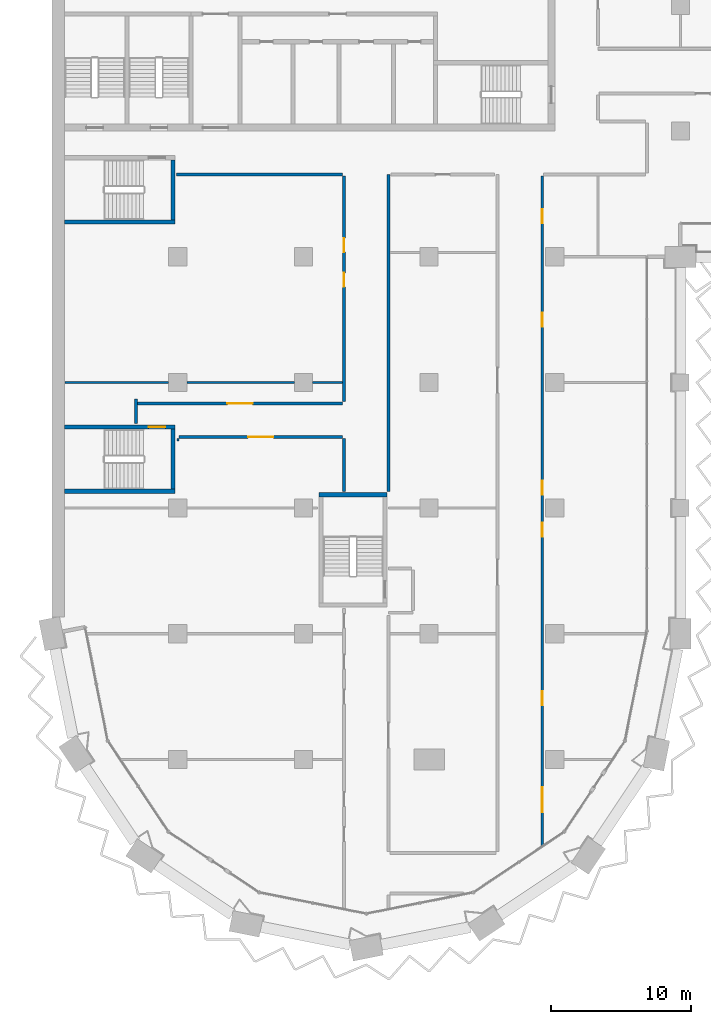
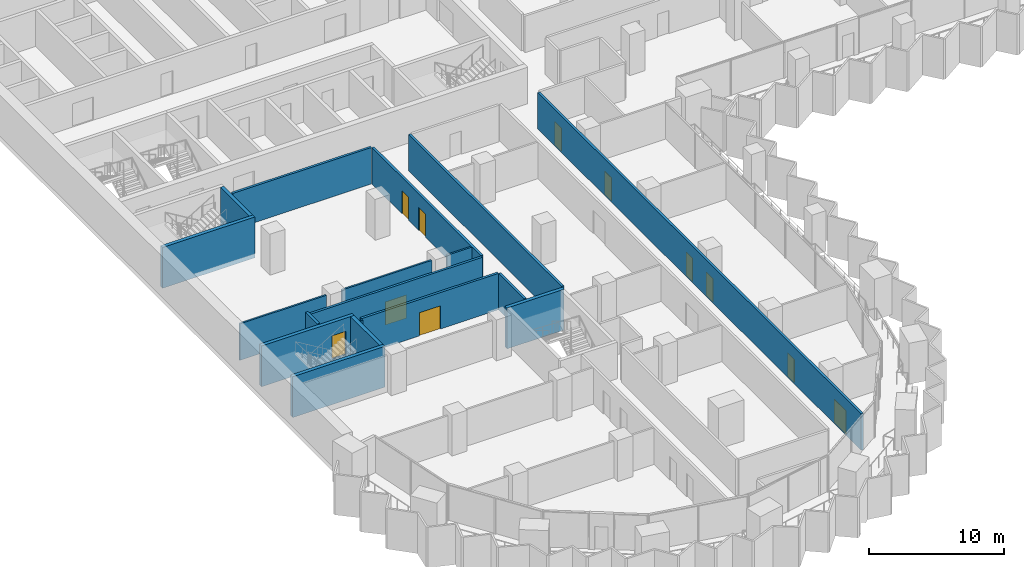
# One storey, part 10 of 23: 18 walls, 11 doors, 11 openings.
"""IFC4 building model written with IfcOpenShell, lengths in metres."""

from ifc_helpers import new_model, si_unit, direction, frame, frame_2d, origin, place, context, subcontext, project, spatial, rectangle, extrude, material, layer, layer_set, type_object, element, fill, save


model = new_model("IFC4")

# Units and contexts
model_context = context("Model", 3, precision=1e-05, world=origin(), true_north=direction((0.0, 1.0)))
body_context = subcontext(model_context, "Body", "Model", "MODEL_VIEW")
ifc_project = project(units=[si_unit("LENGTHUNIT", "METRE"), si_unit("AREAUNIT", "SQUARE_METRE"), si_unit("VOLUMEUNIT", "CUBIC_METRE"), si_unit("PLANEANGLEUNIT", "RADIAN"), si_unit("MASSUNIT", "GRAM", prefix="KILO")], contexts=[model_context])

# Site, building, storey
site_placement = place(None, origin())
site = spatial("IfcSite", under=ifc_project, at=site_placement, CompositionType="ELEMENT")
building_placement = place(site_placement, origin())
building = spatial("IfcBuilding", under=site, at=building_placement, Name="Hunhe Ridgeline Campus", CompositionType="ELEMENT")
storey_placement = place(building_placement, frame((0.0, 0.0, 103.300048828125)))
storey = spatial("IfcBuildingStorey", under=building, at=storey_placement, Name="L25", CompositionType="ELEMENT", Elevation=103.300048828125)

# Wall, opening, door
ifc_material_1 = material(Name="Gypsum board partition")
ifc_layer_1 = layer(ifc_material_1, 0.199951171875)
ifc_layer_set_1 = layer_set([ifc_layer_1], Name="Corridor partition 200 gypsum board on steel studs")
wall_type_1 = type_object("IfcWallType", Name="Corridor partition 200 gypsum board on steel studs", PredefinedType="PARTITIONING", material=ifc_layer_set_1)
wall_1_placement = place(storey_placement, frame((20.800048828125, 41.10009765625, 0.0), z_axis=(0.0, 0.0, 1.0), x_axis=(-1.0, 0.0, 0.0)))
wall_1 = element("IfcWall", 1, at=wall_1_placement, inside=storey, type_object=wall_type_1, Name="F-L25-wall-020", PredefinedType="PARTITIONING", context=body_context, shape_type="SweptSolid", body=[
    extrude(rectangle(XDim=11.72509765625, YDim=0.199951171875, at=frame_2d((5.862548828125, 0.0))), origin(), (0.0, 0.0, 1.0), 3.300048828125),
])
opening_1_placement = place(wall_1_placement, frame((4.96240234375, 0.0, 0.0)))
opening_1 = element("IfcOpeningElement", 2, at=opening_1_placement, cuts=wall_1, Name="Opening RD2-012", PredefinedType="OPENING", context=body_context, shape_type="SweptSolid", body=[
    extrude(rectangle(XDim=1.800048828125, YDim=2.10009765625, at=frame_2d((0.89990234375, 1.050048828125))), frame((0.0, 0.10009765625, 0.0), z_axis=(0.0, -1.0, 0.0), x_axis=(1.0, 0.0, 0.0)), (0.0, 0.0, 1.0), 0.199951171875),
])
ifc_material_2 = material(Name="Timber door leaf", Category="wood")
door_type_1 = type_object("IfcDoorType", Name="Double fire door 1800x2100 timber FD60", OperationType="DOUBLE_DOOR_SINGLE_SWING", PredefinedType="DOOR", material=ifc_material_2)
door_1_placement = place(opening_1_placement, origin())
door_1 = element("IfcDoor", 3, at=door_1_placement, inside=storey, type_object=door_type_1, Name="F-L25-door-012", OperationType="DOUBLE_DOOR_SINGLE_SWING", OverallHeight=2.10009765625, OverallWidth=1.800048828125, PredefinedType="DOOR", context=body_context, shape_type="SweptSolid", body=[
    extrude(rectangle(XDim=1.800048828125, YDim=2.10009765625, at=frame_2d((0.89990234375, 1.050048828125))), frame((0.0, 0.02490234375, 0.0), z_axis=(0.0, -1.0, 0.0), x_axis=(1.0, 0.0, 0.0)), (0.0, 0.0, 1.0), 0.050048828125),
])
fill(opening_1, door_1)

wall_2_placement = place(storey_placement, frame((6.10009765625, 43.5, 0.0), z_axis=(0.0, 0.0, 1.0), x_axis=(1.0, 0.0, 0.0)))
wall_2 = element("IfcWall", 4, at=wall_2_placement, inside=storey, type_object=wall_type_1, Name="F-L25-wall-021", PredefinedType="PARTITIONING", context=body_context, shape_type="SweptSolid", body=[
    extrude(rectangle(XDim=14.699951171875, YDim=0.199951171875, at=frame_2d((7.35009765625, 0.0))), origin(), (0.0, 0.0, 1.0), 3.300048828125),
])
opening_2_placement = place(wall_2_placement, frame((6.449951171875, 0.0, 0.0)))
opening_2 = element("IfcOpeningElement", 5, at=opening_2_placement, cuts=wall_2, Name="Opening RD2-013", PredefinedType="OPENING", context=body_context, shape_type="SweptSolid", body=[
    extrude(rectangle(XDim=1.800048828125, YDim=2.10009765625, at=frame_2d((0.89990234375, 1.050048828125))), frame((0.0, 0.10009765625, 0.0), z_axis=(0.0, -1.0, 0.0), x_axis=(1.0, 0.0, 0.0)), (0.0, 0.0, 1.0), 0.199951171875),
])
door_2_placement = place(opening_2_placement, origin())
door_2 = element("IfcDoor", 6, at=door_2_placement, inside=storey, type_object=door_type_1, Name="F-L25-door-013", OperationType="DOUBLE_DOOR_SINGLE_SWING", OverallHeight=2.10009765625, OverallWidth=1.800048828125, PredefinedType="DOOR", context=body_context, shape_type="SweptSolid", body=[
    extrude(rectangle(XDim=1.800048828125, YDim=2.10009765625, at=frame_2d((0.89990234375, 1.050048828125))), frame((0.0, 0.02490234375, 0.0), z_axis=(0.0, -1.0, 0.0), x_axis=(1.0, 0.0, 0.0)), (0.0, 0.0, 1.0), 0.050048828125),
])
fill(opening_2, door_2)

# Walls
wall_3_placement = place(storey_placement, frame((20.796630859375, 59.89990234375, 0.0), z_axis=(0.0, 0.0, 1.0), x_axis=(-1.0, 0.0, 0.0)))
element("IfcWall", 7, at=wall_3_placement, inside=storey, type_object=wall_type_1, Name="F-L25-wall-029", PredefinedType="PARTITIONING", context=body_context, shape_type="SweptSolid", body=[
    extrude(rectangle(XDim=11.892578125, YDim=0.199951171875, at=frame_2d((5.9462890625, 0.0))), origin(), (0.0, 0.0, 1.0), 3.300048828125),
])
wall_4_placement = place(storey_placement, frame((6.0, 42.053955078125, 0.0), z_axis=(0.0, 0.0, 1.0), x_axis=(0.0, 1.0, 0.0)))
element("IfcWall", 8, at=wall_4_placement, inside=storey, type_object=wall_type_1, Name="F-L25-wall-040", PredefinedType="PARTITIONING", context=body_context, shape_type="SweptSolid", body=[
    extrude(rectangle(XDim=1.74609375, YDim=0.199951171875, at=frame_2d((0.873046875, 0.0))), origin(), (0.0, 0.0, 1.0), 3.300048828125),
])
wall_5_placement = place(storey_placement, frame((20.89990234375, 37.2041015625, 0.0), z_axis=(0.0, 0.0, 1.0), x_axis=(0.0, 1.0, 0.0)))
element("IfcWall", 9, at=wall_5_placement, inside=storey, type_object=wall_type_1, Name="F-L25-wall-043", PredefinedType="PARTITIONING", context=body_context, shape_type="SweptSolid", body=[
    extrude(rectangle(XDim=3.7958984375, YDim=0.199951171875, at=frame_2d((1.89794921875, 0.0))), origin(), (0.0, 0.0, 1.0), 3.300048828125),
])

# Wall, openings, doors
wall_6_placement = place(storey_placement, frame((20.89990234375, 43.6181640625, 0.0), z_axis=(0.0, 0.0, 1.0), x_axis=(0.0, 1.0, 0.0)))
wall_6 = element("IfcWall", 10, at=wall_6_placement, inside=storey, type_object=wall_type_1, Name="F-L25-wall-044", PredefinedType="PARTITIONING", context=body_context, shape_type="SweptSolid", body=[
    extrude(rectangle(XDim=16.181884765625, YDim=0.199951171875, at=frame_2d((8.0908203125, 0.0))), origin(), (0.0, 0.0, 1.0), 3.300048828125),
])
opening_3_placement = place(wall_6_placement, frame((8.22314453125, 0.0, 0.0)))
opening_3 = element("IfcOpeningElement", 11, at=opening_3_placement, cuts=wall_6, Name="Opening RD1-016", PredefinedType="OPENING", context=body_context, shape_type="SweptSolid", body=[
    extrude(rectangle(XDim=1.0, YDim=2.10009765625, at=frame_2d((0.5, 1.050048828125))), frame((0.0, 0.10009765625, 0.0), z_axis=(0.0, -1.0, 0.0), x_axis=(1.0, 0.0, 0.0)), (0.0, 0.0, 1.0), 0.199951171875),
])
opening_4_placement = place(wall_6_placement, frame((10.72314453125, 0.0, 0.0)))
opening_4 = element("IfcOpeningElement", 12, at=opening_4_placement, cuts=wall_6, Name="Opening RD1-017", PredefinedType="OPENING", context=body_context, shape_type="SweptSolid", body=[
    extrude(rectangle(XDim=1.0, YDim=2.10009765625, at=frame_2d((0.5, 1.050048828125))), frame((0.0, 0.10009765625, 0.0), z_axis=(0.0, -1.0, 0.0), x_axis=(1.0, 0.0, 0.0)), (0.0, 0.0, 1.0), 0.199951171875),
])
door_type_2 = type_object("IfcDoorType", Name="Single fire door 1000x2100 timber FD60", OperationType="NOTDEFINED", PredefinedType="DOOR", material=ifc_material_2)
door_3_placement = place(opening_3_placement, frame((1.0, 0.0, 0.0), z_axis=(0.0, 0.0, 1.0), x_axis=(-1.0, 0.0, 0.0)))
door_3 = element("IfcDoor", 13, at=door_3_placement, inside=storey, type_object=door_type_2, Name="F-L25-door-016", OperationType="SINGLE_SWING_RIGHT", OverallHeight=2.10009765625, OverallWidth=1.0, PredefinedType="DOOR", context=body_context, shape_type="SweptSolid", body=[
    extrude(rectangle(XDim=1.0, YDim=2.10009765625, at=frame_2d((0.5, 1.050048828125))), frame((0.0, 0.02490234375, 0.0), z_axis=(0.0, -1.0, 0.0), x_axis=(1.0, 0.0, 0.0)), (0.0, 0.0, 1.0), 0.050048828125),
])
fill(opening_3, door_3)
door_4_placement = place(opening_4_placement, frame((1.0, 0.0, 0.0), z_axis=(0.0, 0.0, 1.0), x_axis=(-1.0, 0.0, 0.0)))
door_4 = element("IfcDoor", 14, at=door_4_placement, inside=storey, type_object=door_type_2, Name="F-L25-door-017", OperationType="SINGLE_SWING_LEFT", OverallHeight=2.10009765625, OverallWidth=1.0, PredefinedType="DOOR", context=body_context, shape_type="SweptSolid", body=[
    extrude(rectangle(XDim=1.0, YDim=2.10009765625, at=frame_2d((0.5, 1.050048828125))), frame((0.0, 0.02490234375, 0.0), z_axis=(0.0, -1.0, 0.0), x_axis=(1.0, 0.0, 0.0)), (0.0, 0.0, 1.0), 0.050048828125),
])
fill(opening_4, door_4)

# Wall
wall_7_placement = place(storey_placement, frame((24.10009765625, 59.89990234375, 0.0), z_axis=(0.0, 0.0, 1.0), x_axis=(0.0, -1.0, 0.0)))
element("IfcWall", 15, at=wall_7_placement, inside=storey, type_object=wall_type_1, Name="F-L25-wall-047", PredefinedType="PARTITIONING", context=body_context, shape_type="SweptSolid", body=[
    extrude(rectangle(XDim=22.69580078125, YDim=0.199951171875, at=frame_2d((11.347900390625, 0.0))), origin(), (0.0, 0.0, 1.0), 3.300048828125),
])

# Wall, openings, doors
wall_8_placement = place(storey_placement, frame((35.10009765625, 59.800048828125, 0.0), z_axis=(0.0, 0.0, 1.0), x_axis=(0.0, -1.0, 0.0)))
wall_8 = element("IfcWall", 16, at=wall_8_placement, inside=storey, type_object=wall_type_1, Name="F-L25-wall-050", PredefinedType="PARTITIONING", context=body_context, shape_type="SweptSolid", body=[
    extrude(rectangle(XDim=47.968994140625, YDim=0.199951171875, at=frame_2d((23.984375, 0.0))), origin(), (0.0, 0.0, 1.0), 3.300048828125),
])
opening_5_placement = place(wall_8_placement, frame((43.803955078125, 0.0, 0.0)))
opening_5 = element("IfcOpeningElement", 17, at=opening_5_placement, cuts=wall_8, Name="Opening RD2-003", PredefinedType="OPENING", context=body_context, shape_type="SweptSolid", body=[
    extrude(rectangle(XDim=1.800048828125, YDim=2.10009765625, at=frame_2d((0.89990234375, 1.050048828125))), frame((0.0, 0.10009765625, 0.0), z_axis=(0.0, -1.0, 0.0), x_axis=(1.0, 0.0, 0.0)), (0.0, 0.0, 1.0), 0.199951171875),
])
opening_6_placement = place(wall_8_placement, frame((36.9208984375, 0.0, 0.0)))
opening_6 = element("IfcOpeningElement", 18, at=opening_6_placement, cuts=wall_8, Name="Opening RD1-005", PredefinedType="OPENING", context=body_context, shape_type="SweptSolid", body=[
    extrude(rectangle(XDim=1.0, YDim=2.10009765625, at=frame_2d((0.5, 1.050048828125))), frame((0.0, 0.10009765625, 0.0), z_axis=(0.0, -1.0, 0.0), x_axis=(1.0, 0.0, 0.0)), (0.0, 0.0, 1.0), 0.199951171875),
])
opening_7_placement = place(wall_8_placement, frame((24.85888671875, 0.0, 0.0)))
opening_7 = element("IfcOpeningElement", 19, at=opening_7_placement, cuts=wall_8, Name="Opening RD1-010", PredefinedType="OPENING", context=body_context, shape_type="SweptSolid", body=[
    extrude(rectangle(XDim=1.0, YDim=2.10009765625, at=frame_2d((0.5, 1.050048828125))), frame((0.0, 0.10009765625, 0.0), z_axis=(0.0, -1.0, 0.0), x_axis=(1.0, 0.0, 0.0)), (0.0, 0.0, 1.0), 0.199951171875),
])
opening_8_placement = place(wall_8_placement, frame((21.85888671875, 0.0, 0.0)))
opening_8 = element("IfcOpeningElement", 20, at=opening_8_placement, cuts=wall_8, Name="Opening RD1-011", PredefinedType="OPENING", context=body_context, shape_type="SweptSolid", body=[
    extrude(rectangle(XDim=1.0, YDim=2.10009765625, at=frame_2d((0.5, 1.050048828125))), frame((0.0, 0.10009765625, 0.0), z_axis=(0.0, -1.0, 0.0), x_axis=(1.0, 0.0, 0.0)), (0.0, 0.0, 1.0), 0.199951171875),
])
opening_9_placement = place(wall_8_placement, frame((9.797119140625, 0.0, 0.0)))
opening_9 = element("IfcOpeningElement", 21, at=opening_9_placement, cuts=wall_8, Name="Opening RD1-015", PredefinedType="OPENING", context=body_context, shape_type="SweptSolid", body=[
    extrude(rectangle(XDim=1.0, YDim=2.10009765625, at=frame_2d((0.5, 1.050048828125))), frame((0.0, 0.10009765625, 0.0), z_axis=(0.0, -1.0, 0.0), x_axis=(1.0, 0.0, 0.0)), (0.0, 0.0, 1.0), 0.199951171875),
])
opening_10_placement = place(wall_8_placement, frame((2.38818359375, 0.0, 0.0)))
opening_10 = element("IfcOpeningElement", 22, at=opening_10_placement, cuts=wall_8, Name="Opening RD1-018", PredefinedType="OPENING", context=body_context, shape_type="SweptSolid", body=[
    extrude(rectangle(XDim=1.0, YDim=2.10009765625, at=frame_2d((0.5, 1.050048828125))), frame((0.0, 0.10009765625, 0.0), z_axis=(0.0, -1.0, 0.0), x_axis=(1.0, 0.0, 0.0)), (0.0, 0.0, 1.0), 0.199951171875),
])
door_5_placement = place(opening_5_placement, origin())
door_5 = element("IfcDoor", 23, at=door_5_placement, inside=storey, type_object=door_type_1, Name="F-L25-door-003", OperationType="DOUBLE_DOOR_SINGLE_SWING", OverallHeight=2.10009765625, OverallWidth=1.800048828125, PredefinedType="DOOR", context=body_context, shape_type="SweptSolid", body=[
    extrude(rectangle(XDim=1.800048828125, YDim=2.10009765625, at=frame_2d((0.89990234375, 1.050048828125))), frame((0.0, 0.02490234375, 0.0), z_axis=(0.0, -1.0, 0.0), x_axis=(1.0, 0.0, 0.0)), (0.0, 0.0, 1.0), 0.050048828125),
])
fill(opening_5, door_5)
door_6_placement = place(opening_6_placement, origin())
door_6 = element("IfcDoor", 24, at=door_6_placement, inside=storey, type_object=door_type_2, Name="F-L25-door-005", OperationType="SINGLE_SWING_LEFT", OverallHeight=2.10009765625, OverallWidth=1.0, PredefinedType="DOOR", context=body_context, shape_type="SweptSolid", body=[
    extrude(rectangle(XDim=1.0, YDim=2.10009765625, at=frame_2d((0.5, 1.050048828125))), frame((0.0, 0.02490234375, 0.0), z_axis=(0.0, -1.0, 0.0), x_axis=(1.0, 0.0, 0.0)), (0.0, 0.0, 1.0), 0.050048828125),
])
fill(opening_6, door_6)
door_7_placement = place(opening_7_placement, frame((1.0, 0.0, 0.0), z_axis=(0.0, 0.0, 1.0), x_axis=(-1.0, 0.0, 0.0)))
door_7 = element("IfcDoor", 25, at=door_7_placement, inside=storey, type_object=door_type_2, Name="F-L25-door-010", OperationType="SINGLE_SWING_LEFT", OverallHeight=2.10009765625, OverallWidth=1.0, PredefinedType="DOOR", context=body_context, shape_type="SweptSolid", body=[
    extrude(rectangle(XDim=1.0, YDim=2.10009765625, at=frame_2d((0.5, 1.050048828125))), frame((0.0, 0.02490234375, 0.0), z_axis=(0.0, -1.0, 0.0), x_axis=(1.0, 0.0, 0.0)), (0.0, 0.0, 1.0), 0.050048828125),
])
fill(opening_7, door_7)
door_8_placement = place(opening_8_placement, frame((1.0, 0.0, 0.0), z_axis=(0.0, 0.0, 1.0), x_axis=(-1.0, 0.0, 0.0)))
door_8 = element("IfcDoor", 26, at=door_8_placement, inside=storey, type_object=door_type_2, Name="F-L25-door-011", OperationType="SINGLE_SWING_RIGHT", OverallHeight=2.10009765625, OverallWidth=1.0, PredefinedType="DOOR", context=body_context, shape_type="SweptSolid", body=[
    extrude(rectangle(XDim=1.0, YDim=2.10009765625, at=frame_2d((0.5, 1.050048828125))), frame((0.0, 0.02490234375, 0.0), z_axis=(0.0, -1.0, 0.0), x_axis=(1.0, 0.0, 0.0)), (0.0, 0.0, 1.0), 0.050048828125),
])
fill(opening_8, door_8)
door_9_placement = place(opening_9_placement, origin())
door_9 = element("IfcDoor", 27, at=door_9_placement, inside=storey, type_object=door_type_2, Name="F-L25-door-015", OperationType="SINGLE_SWING_LEFT", OverallHeight=2.10009765625, OverallWidth=1.0, PredefinedType="DOOR", context=body_context, shape_type="SweptSolid", body=[
    extrude(rectangle(XDim=1.0, YDim=2.10009765625, at=frame_2d((0.5, 1.050048828125))), frame((0.0, 0.02490234375, 0.0), z_axis=(0.0, -1.0, 0.0), x_axis=(1.0, 0.0, 0.0)), (0.0, 0.0, 1.0), 0.050048828125),
])
fill(opening_9, door_9)
door_10_placement = place(opening_10_placement, origin())
door_10 = element("IfcDoor", 28, at=door_10_placement, inside=storey, type_object=door_type_2, Name="F-L25-door-018", OperationType="SINGLE_SWING_LEFT", OverallHeight=2.10009765625, OverallWidth=1.0, PredefinedType="DOOR", context=body_context, shape_type="SweptSolid", body=[
    extrude(rectangle(XDim=1.0, YDim=2.10009765625, at=frame_2d((0.5, 1.050048828125))), frame((0.0, 0.02490234375, 0.0), z_axis=(0.0, -1.0, 0.0), x_axis=(1.0, 0.0, 0.0)), (0.0, 0.0, 1.0), 0.050048828125),
])
fill(opening_10, door_10)

# Walls
ifc_layer_2 = layer(ifc_material_1, 0.14990234375)
ifc_layer_set_2 = layer_set([ifc_layer_2], Name="Room partition 150 gypsum board on steel studs")
wall_type_2 = type_object("IfcWallType", Name="Room partition 150 gypsum board on steel studs", PredefinedType="PARTITIONING", material=ifc_layer_set_2)
wall_9_placement = place(storey_placement, frame((0.919921875, 45.0, 0.0), z_axis=(0.0, 0.0, 1.0), x_axis=(1.0, 0.0, 0.0)))
element("IfcWall", 29, at=wall_9_placement, inside=storey, type_object=wall_type_2, Name="F-L25-wall-022", PredefinedType="PARTITIONING", context=body_context, shape_type="SweptSolid", body=[
    extrude(rectangle(XDim=7.43017578125, YDim=0.14990234375, at=frame_2d((3.715087890625, 0.0))), origin(), (0.0, 0.0, 1.0), 3.300048828125),
])
wall_10_placement = place(storey_placement, frame((9.64990234375, 45.0, 0.0), z_axis=(0.0, 0.0, 1.0), x_axis=(1.0, 0.0, 0.0)))
element("IfcWall", 30, at=wall_10_placement, inside=storey, type_object=wall_type_2, Name="F-L25-wall-023", PredefinedType="PARTITIONING", context=body_context, shape_type="SweptSolid", body=[
    extrude(rectangle(XDim=7.7001953125, YDim=0.14990234375, at=frame_2d((3.85009765625, 0.0))), origin(), (0.0, 0.0, 1.0), 3.300048828125),
])
wall_11_placement = place(storey_placement, frame((18.64990234375, 45.0, 0.0), z_axis=(0.0, 0.0, 1.0), x_axis=(1.0, 0.0, 0.0)))
element("IfcWall", 31, at=wall_11_placement, inside=storey, type_object=wall_type_2, Name="F-L25-wall-024", PredefinedType="PARTITIONING", context=body_context, shape_type="SweptSolid", body=[
    extrude(rectangle(XDim=2.150146484375, YDim=0.14990234375, at=frame_2d((1.0751953125, 0.0))), origin(), (0.0, 0.0, 1.0), 3.300048828125),
])
wall_12_placement = place(storey_placement, frame((9.0, 41.0, 0.0), z_axis=(0.0, 0.0, 1.0), x_axis=(0.0, -1.0, 0.0)))
element("IfcWall", 32, at=wall_12_placement, inside=storey, type_object=wall_type_2, Name="F-L25-wall-041", PredefinedType="PARTITIONING", context=body_context, shape_type="SweptSolid", body=[
    extrude(rectangle(XDim=0.199951171875, YDim=0.14990234375, at=frame_2d((0.10009765625, 0.0))), origin(), (0.0, 0.0, 1.0), 3.300048828125),
])
ifc_material_3 = material(Name="Concrete C80", Category="concrete")
ifc_layer_3 = layer(ifc_material_3, 0.300048828125)
ifc_layer_set_3 = layer_set([ifc_layer_3], Name="Stair wall 300 reinforced concrete C80")
wall_type_3 = type_object("IfcWallType", Name="Stair wall 300 reinforced concrete C80", PredefinedType="SOLIDWALL", material=ifc_layer_set_3)
wall_13_placement = place(storey_placement, frame((19.10009765625, 36.949951171875, -0.400146484375), z_axis=(0.0, 0.0, 1.0), x_axis=(1.0, 0.0, 0.0)))
element("IfcWall", 33, at=wall_13_placement, inside=storey, type_object=wall_type_3, Name="L25 core wall 2", PredefinedType="SOLIDWALL", context=body_context, shape_type="SweptSolid", body=[
    extrude(rectangle(XDim=4.89990234375, YDim=0.300048828125, at=frame_2d((2.449951171875, 0.0))), origin(), (0.0, 0.0, 1.0), 3.7001953125),
])
wall_14_placement = place(storey_placement, frame((0.89990234375, 37.199951171875, -0.400146484375), z_axis=(0.0, 0.0, 1.0), x_axis=(1.0, 0.0, 0.0)))
element("IfcWall", 34, at=wall_14_placement, inside=storey, type_object=wall_type_3, Name="L25 core wall 3", PredefinedType="SOLIDWALL", context=body_context, shape_type="SweptSolid", body=[
    extrude(rectangle(XDim=7.900146484375, YDim=0.300048828125, at=frame_2d((3.9501953125, 0.0))), origin(), (0.0, 0.0, 1.0), 3.7001953125),
])

# Wall, opening, door
wall_15_placement = place(storey_placement, frame((0.89990234375, 41.800048828125, -0.400146484375), z_axis=(0.0, 0.0, 1.0), x_axis=(1.0, 0.0, 0.0)))
wall_15 = element("IfcWall", 35, at=wall_15_placement, inside=storey, type_object=wall_type_3, Name="L25 core wall 4", PredefinedType="SOLIDWALL", context=body_context, shape_type="SweptSolid", body=[
    extrude(rectangle(XDim=7.900146484375, YDim=0.300048828125, at=frame_2d((3.9501953125, 0.0))), origin(), (0.0, 0.0, 1.0), 3.7001953125),
])
opening_11_placement = place(wall_15_placement, frame((6.0, 0.0, 0.39990234375)))
opening_11 = element("IfcOpeningElement", 36, at=opening_11_placement, cuts=wall_15, Name="Opening CD21", PredefinedType="OPENING", context=body_context, shape_type="SweptSolid", body=[
    extrude(rectangle(XDim=1.199951171875, YDim=2.10009765625, at=frame_2d((0.60009765625, 1.050048828125))), frame((0.0, 0.14990234375, 0.0), z_axis=(0.0, -1.0, 0.0), x_axis=(1.0, 0.0, 0.0)), (0.0, 0.0, 1.0), 0.300048828125),
])
ifc_material_4 = material(Name="Hollow metal fire door leaf")
door_type_3 = type_object("IfcDoorType", Name="Stair door 1200x2100 FD60", OperationType="SINGLE_SWING_LEFT", PredefinedType="DOOR", material=ifc_material_4)
door_11_placement = place(opening_11_placement, origin())
door_11 = element("IfcDoor", 37, at=door_11_placement, inside=storey, type_object=door_type_3, Name="L25 door W1", OperationType="SINGLE_SWING_RIGHT", OverallHeight=2.10009765625, OverallWidth=1.199951171875, PredefinedType="DOOR", context=body_context, shape_type="SweptSolid", body=[
    extrude(rectangle(XDim=1.199951171875, YDim=2.10009765625, at=frame_2d((0.60009765625, 1.050048828125))), frame((0.0, 0.02490234375, 0.0), z_axis=(0.0, -1.0, 0.0), x_axis=(1.0, 0.0, 0.0)), (0.0, 0.0, 1.0), 0.050048828125),
])
fill(opening_11, door_11)

# Walls
wall_16_placement = place(storey_placement, frame((0.89990234375, 56.5, -0.400146484375), z_axis=(0.0, 0.0, 1.0), x_axis=(1.0, 0.0, 0.0)))
element("IfcWall", 38, at=wall_16_placement, inside=storey, type_object=wall_type_3, Name="L25 core wall 5", PredefinedType="SOLIDWALL", context=body_context, shape_type="SweptSolid", body=[
    extrude(rectangle(XDim=7.900146484375, YDim=0.300048828125, at=frame_2d((3.9501953125, 0.0))), origin(), (0.0, 0.0, 1.0), 3.7001953125),
])
wall_17_placement = place(storey_placement, frame((8.64990234375, 37.35009765625, -0.400146484375), z_axis=(0.0, 0.0, 1.0), x_axis=(0.0, 1.0, 0.0)))
element("IfcWall", 39, at=wall_17_placement, inside=storey, type_object=wall_type_3, Name="L25 core wall 36", PredefinedType="SOLIDWALL", context=body_context, shape_type="SweptSolid", body=[
    extrude(rectangle(XDim=4.2998046875, YDim=0.300048828125, at=frame_2d((2.14990234375, 0.0))), origin(), (0.0, 0.0, 1.0), 3.7001953125),
])
wall_18_placement = place(storey_placement, frame((8.64990234375, 56.64990234375, -0.400146484375), z_axis=(0.0, 0.0, 1.0), x_axis=(0.0, 1.0, 0.0)))
element("IfcWall", 40, at=wall_18_placement, inside=storey, type_object=wall_type_3, Name="L25 core wall 37", PredefinedType="SOLIDWALL", context=body_context, shape_type="SweptSolid", body=[
    extrude(rectangle(XDim=4.300048828125, YDim=0.300048828125, at=frame_2d((2.14990234375, 0.0))), origin(), (0.0, 0.0, 1.0), 3.7001953125),
])

save(model, "model.ifc")
